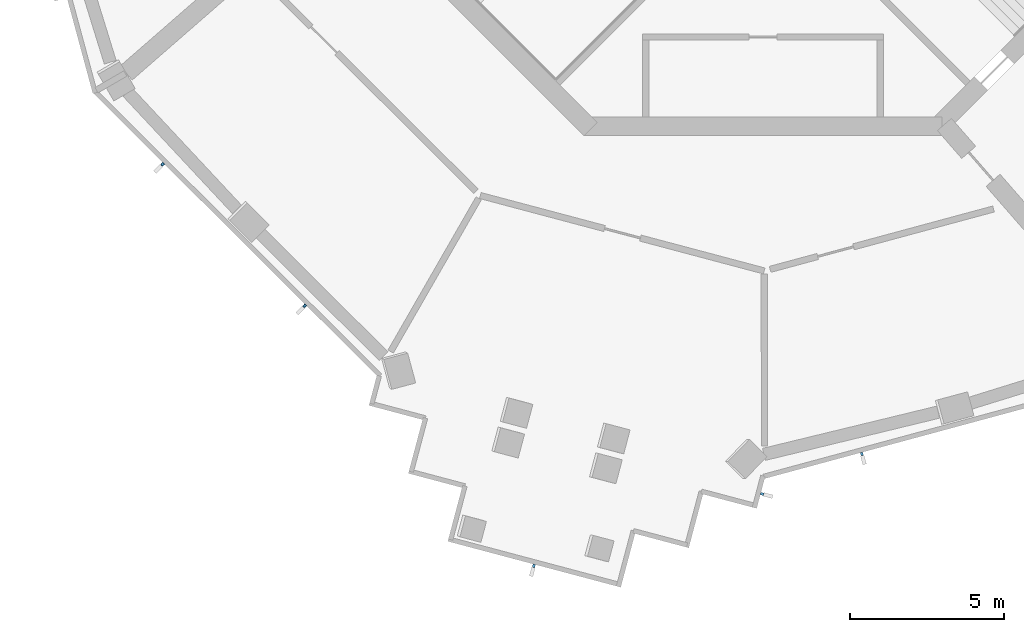
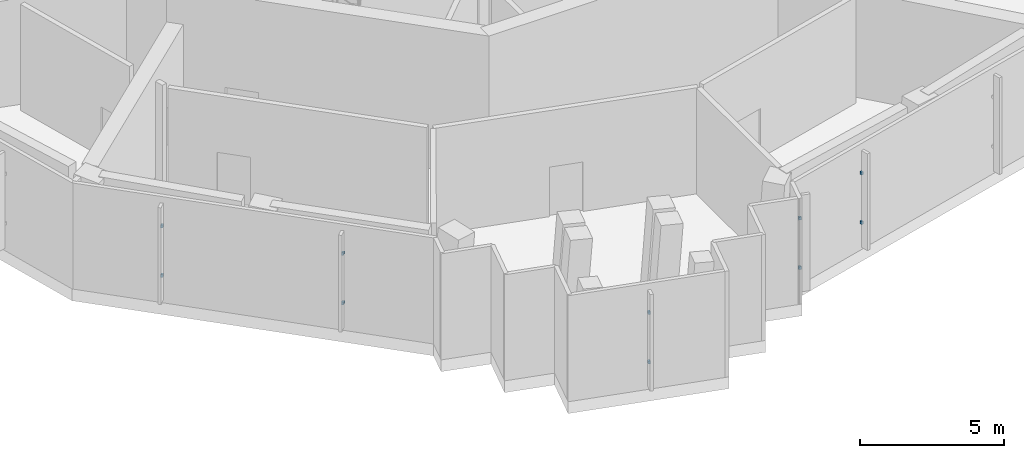
# One storey, part 6 of 16: 10 discrete accessories.
"""IFC4 building model written with IfcOpenShell, lengths in metres."""

import ifcopenshell
import ifcopenshell.guid

model = None  # the IFC model being written
_history = None  # IfcOwnerHistory: only IFC2X3 demands one
_inside = {}  # id of a spatial element -> (the spatial element, [elements in it])
_under = {}  # id of a project, library or spatial element -> (it, [spatial elements below it])
_declared = {}  # id of a project -> (the project, [libraries it declares])
_typed = {}  # id of a type object -> (the type object, [elements of that type])
_made_of = {}  # id of a material, layer set ... -> (it, [elements and type objects made of it])


def new_model(schema):
    """Start an empty IFC model of exactly this schema.

    Asked for "IFC4X3", IfcOpenShell would pick the latest addendum, in which some entities
    have other attributes; the version numbers below select the first issue.
    IFC2X3 requires an IfcOwnerHistory on every rooted entity: one is made here for all.
    """
    global model, _history
    if schema == "IFC4X3":
        model = ifcopenshell.file(schema_version=(4, 3, 0, 0))
    else:
        model = ifcopenshell.file(schema=schema)
    _inside.clear()
    _under.clear()
    _declared.clear()
    _typed.clear()
    _made_of.clear()
    _history = None
    if model.schema == "IFC2X3":
        org = make("IfcOrganization", Name="unknown")
        user = make(
            "IfcPersonAndOrganization",
            ThePerson=make("IfcPerson", FamilyName="unknown"),
            TheOrganization=org,
        )
        app = make(
            "IfcApplication",
            ApplicationDeveloper=org,
            Version="unknown",
            ApplicationFullName="unknown",
            ApplicationIdentifier="unknown",
        )
        _history = make(
            "IfcOwnerHistory",
            OwningUser=user,
            OwningApplication=app,
            ChangeAction="ADDED",
            CreationDate=0,
        )
    return model


def make(cls, **values):
    """One entity of the class cls with the attributes given. An attribute that is None is left unset."""
    return model.create_entity(
        cls, **{name: value for name, value in values.items() if value is not None}
    )


def rooted(cls, **values):
    """An entity with a GlobalId (a new one), such as an element, a storey or a relation."""
    return make(cls, GlobalId=ifcopenshell.guid.new(), OwnerHistory=_history, **values)


def si_unit(unit_type, name, prefix=None):
    """IfcSIUnit, for example si_unit("LENGTHUNIT", "METRE", prefix="MILLI")."""
    return make("IfcSIUnit", UnitType=unit_type, Prefix=prefix, Name=name)


def assignment(units):
    """IfcUnitAssignment: the units of a project."""
    return None if units is None else make("IfcUnitAssignment", Units=units)


def point(xyz):
    """IfcCartesianPoint."""
    return None if xyz is None else make("IfcCartesianPoint", Coordinates=xyz)


def direction(xyz):
    """IfcDirection."""
    return None if xyz is None else make("IfcDirection", DirectionRatios=xyz)


def frame(location, z_axis=None, x_axis=None):
    """IfcAxis2Placement3D, a coordinate frame: its origin and axes. An axis left out is left unset."""
    return make(
        "IfcAxis2Placement3D",
        Location=point(location),
        Axis=direction(z_axis),
        RefDirection=direction(x_axis),
    )


def frame_2d(location, x_axis=None):
    """IfcAxis2Placement2D, a coordinate frame in the plane: its origin and x axis."""
    return make(
        "IfcAxis2Placement2D", Location=point(location), RefDirection=direction(x_axis)
    )


def origin():
    """The frame at (0, 0, 0) with its axes left unset."""
    return frame((0.0, 0.0, 0.0))


def origin_2d():
    """The frame at (0, 0) in the plane with its x axis left unset."""
    return frame_2d((0.0, 0.0))


def place(relative_to, where):
    """IfcLocalPlacement: puts the frame where relative to a parent placement (None: the world)."""
    return make(
        "IfcLocalPlacement", PlacementRelTo=relative_to, RelativePlacement=where
    )


def context(
    kind, dimensions, precision=None, world=None, true_north=None, identifier=None
):
    """IfcGeometricRepresentationContext, for example the 3D "Model" context."""
    return make(
        "IfcGeometricRepresentationContext",
        ContextIdentifier=identifier,
        ContextType=kind,
        CoordinateSpaceDimension=dimensions,
        Precision=precision,
        WorldCoordinateSystem=world,
        TrueNorth=true_north,
    )


def subcontext(parent, identifier, kind, view, scale=None):
    """IfcGeometricRepresentationSubContext, for example "Body" below "Model"."""
    return make(
        "IfcGeometricRepresentationSubContext",
        ContextIdentifier=identifier,
        ContextType=kind,
        ParentContext=parent,
        TargetScale=scale,
        TargetView=view,
    )


def project(units=None, contexts=None):
    """IfcProject with its units and contexts."""
    return rooted(
        "IfcProject",
        Name="project",
        RepresentationContexts=contexts,
        UnitsInContext=assignment(units),
    )


def spatial(cls, under=None, at=None, **own):
    """A site, building, storey or space (cls), placed at a placement, below another one or the project."""
    s = rooted(cls, ObjectPlacement=at, **own)
    if under is not None:
        _under.setdefault(under.id(), (under, []))[1].append(s)
    return s


def profile(cls, at=None, kind="AREA", **sizes):
    """A parametric profile (cls). Its sizes go by their IFC names, for example OverallWidth=200.0."""
    return make(cls, ProfileType=kind, Position=at, **sizes)


def rectangle(**sizes):
    """IfcRectangleProfileDef."""
    return profile("IfcRectangleProfileDef", **sizes)


def extrude(swept, where, along, depth):
    """IfcExtrudedAreaSolid: the profile swept, set in the frame where, extruded along a direction by depth."""
    return make(
        "IfcExtrudedAreaSolid",
        SweptArea=swept,
        Position=where,
        ExtrudedDirection=direction(along),
        Depth=depth,
    )


def shape(context_of_items, identifier, shape_type, items):
    """IfcShapeRepresentation: the items that make up one representation, for example the "Body"."""
    return make(
        "IfcShapeRepresentation",
        ContextOfItems=context_of_items,
        RepresentationIdentifier=identifier,
        RepresentationType=shape_type,
        Items=items,
    )


def made_of(thing, what):
    """Note that an element or type object is made of a material, layer set ...; save() writes the relation."""
    if what is not None:
        _made_of.setdefault(what.id(), (what, []))[1].append(thing)
    return thing


def element(
    cls,
    number,
    at=None,
    inside=None,
    cuts=None,
    type_object=None,
    material=None,
    context=None,
    identifier="Body",
    shape_type=None,
    held_by="IfcProductDefinitionShape",
    body=None,
    shapes=None,
    **own,
):
    """One element of the class cls, such as IfcWall. Its Tag is "e" and its number.

    at: its placement. inside: the storey or other place that contains it. cuts: it is an
    opening in that element (IfcRelVoidsElement). A single representation is given by context,
    identifier, shape_type and body (its items); several are given by shapes. held_by: the class
    of the entity that holds the representations. save() writes the other relations.
    """
    e = rooted(cls, Tag="e%d" % number, ObjectPlacement=at, **own)
    if body is not None:
        shapes = [shape(context, identifier, shape_type, body)]
    if shapes is not None:
        e.Representation = make(held_by, Representations=shapes)
    if inside is not None:
        _inside.setdefault(inside.id(), (inside, []))[1].append(e)
    if cuts is not None:
        rooted(
            "IfcRelVoidsElement", RelatingBuildingElement=cuts, RelatedOpeningElement=e
        )
    if type_object is not None:
        _typed.setdefault(type_object.id(), (type_object, []))[1].append(e)
    return made_of(e, material)


def aggregate(whole, parts):
    """IfcRelAggregates: a whole, such as a stair, and the parts it consists of."""
    return rooted("IfcRelAggregates", RelatingObject=whole, RelatedObjects=parts)


def save(model, path):
    """Write the relations noted so far, then the file.

    IfcRelAggregates (storeys below a building ...), IfcRelContainedInSpatialStructure (elements
    in a storey), IfcRelDefinesByType, IfcRelAssociatesMaterial and IfcRelDeclares: one each for
    every whole, place, type object, material and project.
    """
    for whole, parts in _under.values():
        aggregate(whole, parts)
    for where, things in _inside.values():
        rooted(
            "IfcRelContainedInSpatialStructure",
            RelatedElements=things,
            RelatingStructure=where,
        )
    for kind, things in _typed.values():
        rooted("IfcRelDefinesByType", RelatedObjects=things, RelatingType=kind)
    for what, things in _made_of.values():
        rooted("IfcRelAssociatesMaterial", RelatedObjects=things, RelatingMaterial=what)
    for by, libraries in _declared.values():
        rooted("IfcRelDeclares", RelatingContext=by, RelatedDefinitions=libraries)
    model.write(path)


model = new_model("IFC4")

# Units and contexts
model_context = context("Model", 3, precision=1e-05, world=origin(), true_north=direction((0.0, 1.0)))
body_context = subcontext(model_context, "Body", "Model", "MODEL_VIEW")
ifc_project = project(units=[si_unit("LENGTHUNIT", "METRE"), si_unit("AREAUNIT", "SQUARE_METRE"), si_unit("VOLUMEUNIT", "CUBIC_METRE"), si_unit("PLANEANGLEUNIT", "RADIAN"), si_unit("MASSUNIT", "GRAM", prefix="KILO")], contexts=[model_context])

# Site, building, storey
site_placement = place(None, origin())
site = spatial("IfcSite", under=ifc_project, at=site_placement, CompositionType="ELEMENT")
building_placement = place(site_placement, origin())
building = spatial("IfcBuilding", under=site, at=building_placement, Name="Verdalira Terraces Hotel", CompositionType="ELEMENT")
storey_placement = place(building_placement, frame((0.0, 0.0, 216.0)))
storey = spatial("IfcBuildingStorey", under=building, at=storey_placement, Name="L53", CompositionType="ELEMENT", Elevation=216.0)

# Discrete accessories
for number, where, z_axis, x_axis, name in (
    (1, (-19.455566, -14.931152, 1.139893), (0.0, 0.0, 1.0), (0.70858619, -0.70562427, 0.0), "Fin bracket"),
    (2, (-19.455566, -14.931152, 3.23999), (0.0, 0.0, 1.0), (0.70858619, -0.70562427, 0.0), "Fin bracket"),
    (3, (-14.849609, -19.517822, 1.139893), (0.0, 0.0, 1.0), (0.70858619, -0.70562427, 0.0), "Fin bracket"),
    (4, (-14.849609, -19.517822, 3.23999), (0.0, 0.0, 1.0), (0.70858619, -0.70562427, 0.0), "Fin bracket"),
    (5, (-7.423584, -27.938965, 1.139893), (0.0, 0.0, 1.0), (0.966465777, -0.256795449, 0.0), "Fin bracket"),
    (6, (-7.423584, -27.938965, 3.23999), (0.0, 0.0, 1.0), (0.966465777, -0.256795449, 0.0), "Fin bracket"),
    (7, (-0.027588, -25.610107, 1.139893), (0.0, 0.0, 1.0), (0.256795449, 0.966465777, 0.0), "Fin bracket"),
    (8, (-0.027588, -25.610107, 3.23999), (0.0, 0.0, 1.0), (0.256795449, 0.966465777, 0.0), "Fin bracket"),
    (9, (3.203125, -24.314453, 1.139893), (0.0, 0.0, 1.0), (0.965381639, 0.260841506, 0.0), "Fin bracket"),
    (10, (3.203125, -24.314453, 3.23999), (0.0, 0.0, 1.0), (0.965381639, 0.260841506, 0.0), "Fin bracket"),
):
    element("IfcDiscreteAccessory", number, at=place(storey_placement, frame(where, z_axis=z_axis, x_axis=x_axis)), inside=storey, Name=name, PredefinedType="BRACKET", context=body_context, shape_type="SweptSolid", body=[
        extrude(rectangle(XDim=0.080078, YDim=0.100098, at=origin_2d()), origin(), (0.0, 0.0, 1.0), 0.120117),
    ])

save(model, "model.ifc")
